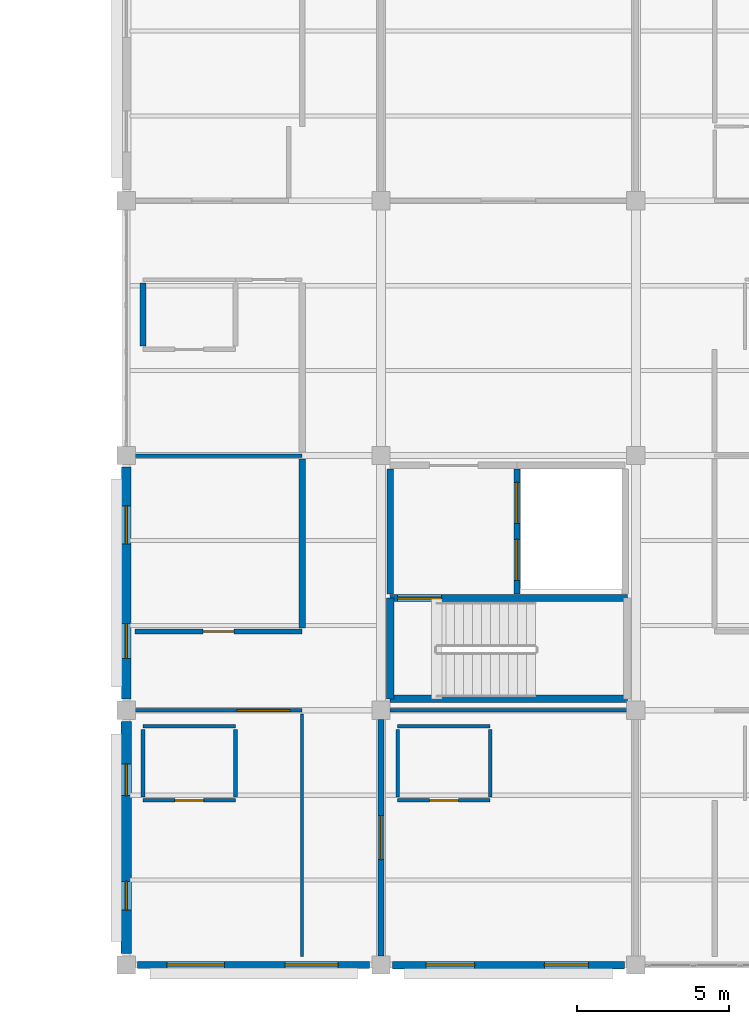
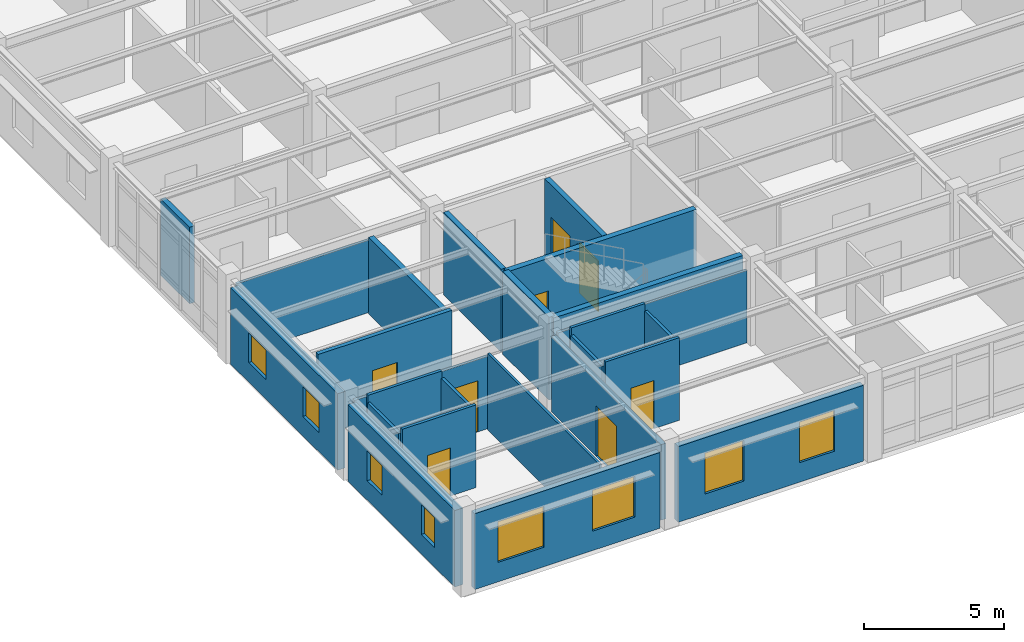
# One storey, part 43 of 70: 25 walls, 8 doors, 8 windows, 16 openings.
"""IFC4 building model written with IfcOpenShell, lengths in metres."""

from ifc_helpers import new_model, si_unit, direction, frame, frame_2d, origin, place, context, subcontext, project, spatial, rectangle, extrude, material, layer, layer_set, type_object, element, fill, save


model = new_model("IFC4")

# Units and contexts
model_context = context("Model", 3, precision=1e-05, world=origin(), true_north=direction((0.0, 1.0)))
body_context = subcontext(model_context, "Body", "Model", "MODEL_VIEW")
ifc_project = project(units=[si_unit("LENGTHUNIT", "METRE"), si_unit("AREAUNIT", "SQUARE_METRE"), si_unit("VOLUMEUNIT", "CUBIC_METRE"), si_unit("PLANEANGLEUNIT", "RADIAN"), si_unit("MASSUNIT", "GRAM", prefix="KILO")], contexts=[model_context])

# Site, building, storey
site_placement = place(None, origin())
site = spatial("IfcSite", under=ifc_project, at=site_placement, CompositionType="ELEMENT")
building_placement = place(site_placement, origin())
building = spatial("IfcBuilding", under=site, at=building_placement, Name="Bramfleet General Hospital", CompositionType="ELEMENT")
storey_placement = place(building_placement, frame((0.0, 0.0, 22.5)))
storey = spatial("IfcBuildingStorey", under=building, at=storey_placement, Name="L05", CompositionType="ELEMENT", Elevation=22.5)

# Wall, openings, windows
ifc_material_1 = material(Name="Precast concrete C40/50", Category="concrete")
ifc_layer_1 = layer(ifc_material_1, 0.3349609375, Name="WT-EW-03")
ifc_layer_set_1 = layer_set([ifc_layer_1], Name="Precast concrete C40/50")
wall_type_1 = type_object("IfcWallType", Name="WT-EW-03", PredefinedType="SOLIDWALL", material=ifc_layer_set_1)
wall_1_placement = place(storey_placement, frame((92.39990234375, 0.375, 0.0), z_axis=(0.0, 0.0, 1.0), x_axis=(0.0, 1.0, 0.0)))
wall_1 = element("IfcWall", 1, at=wall_1_placement, inside=storey, type_object=wall_type_1, Name="L05 Exterior Wall 379", PredefinedType="SOLIDWALL", context=body_context, shape_type="SweptSolid", body=[
    extrude(rectangle(XDim=7.64990234375, YDim=0.3349609375, at=frame_2d((3.824951171875, 0.0))), origin(), (0.0, 0.0, 1.0), 3.340087890625),
])
opening_1_placement = place(wall_1_placement, frame((1.4375, 0.0, 0.85009765625)))
opening_1 = element("IfcOpeningElement", 2, at=opening_1_placement, cuts=wall_1, Name="Opening W-01", PredefinedType="OPENING", context=body_context, shape_type="SweptSolid", body=[
    extrude(rectangle(XDim=0.949951171875, YDim=1.300048828125, at=frame_2d((0.47509765625, 0.64990234375))), frame((0.0, 0.177490234375, 0.0), z_axis=(0.0, -1.0, 0.0), x_axis=(1.0, 0.0, 0.0)), (0.0, 0.0, 1.0), 0.35498046875),
])
opening_2_placement = place(wall_1_placement, frame((5.21240234375, 0.0, 0.85009765625)))
opening_2 = element("IfcOpeningElement", 3, at=opening_2_placement, cuts=wall_1, Name="Opening W-02", PredefinedType="OPENING", context=body_context, shape_type="SweptSolid", body=[
    extrude(rectangle(XDim=1.050048828125, YDim=1.300048828125, at=frame_2d((0.52490234375, 0.64990234375))), frame((0.0, 0.177490234375, 0.0), z_axis=(0.0, -1.0, 0.0), x_axis=(1.0, 0.0, 0.0)), (0.0, 0.0, 1.0), 0.35498046875),
])
ifc_material_2 = material(Name="Anodised aluminium and low-E triple glazing", Category="aluminium")
window_type_1 = type_object("IfcWindowType", Name="WIN-W-01", PartitioningType="SINGLE_PANEL", PredefinedType="WINDOW", material=ifc_material_2)
window_1_placement = place(opening_1_placement, origin())
window_1 = element("IfcWindow", 4, at=window_1_placement, inside=storey, type_object=window_type_1, Name="L05 Facade Window WIN-L05-379-1", OverallHeight=1.300048828125, OverallWidth=0.949951171875, PartitioningType="SINGLE_PANEL", PredefinedType="WINDOW", context=body_context, shape_type="SweptSolid", body=[
    extrude(rectangle(XDim=0.949951171875, YDim=1.300048828125, at=frame_2d((0.47509765625, 0.64990234375))), frame((0.0, 0.030029296875, 0.0), z_axis=(0.0, -1.0, 0.0), x_axis=(1.0, 0.0, 0.0)), (0.0, 0.0, 1.0), 0.06005859375),
])
fill(opening_1, window_1)
window_type_2 = type_object("IfcWindowType", Name="WIN-W-02", PartitioningType="SINGLE_PANEL", PredefinedType="WINDOW", material=ifc_material_2)
window_2_placement = place(opening_2_placement, origin())
window_2 = element("IfcWindow", 5, at=window_2_placement, inside=storey, type_object=window_type_2, Name="L05 Facade Window WIN-L05-379-2", OverallHeight=1.300048828125, OverallWidth=1.050048828125, PartitioningType="SINGLE_PANEL", PredefinedType="WINDOW", context=body_context, shape_type="SweptSolid", body=[
    extrude(rectangle(XDim=1.050048828125, YDim=1.300048828125, at=frame_2d((0.52490234375, 0.64990234375))), frame((0.0, 0.030029296875, 0.0), z_axis=(0.0, -1.0, 0.0), x_axis=(1.0, 0.0, 0.0)), (0.0, 0.0, 1.0), 0.06005859375),
])
fill(opening_2, window_2)

ifc_layer_2 = layer(ifc_material_1, 0.31494140625, Name="WT-EW-04")
ifc_layer_set_2 = layer_set([ifc_layer_2], Name="Precast concrete C40/50")
wall_type_2 = type_object("IfcWallType", Name="WT-EW-04", PredefinedType="SOLIDWALL", material=ifc_layer_set_2)
wall_2_placement = place(storey_placement, frame((92.39990234375, 8.77490234375, 0.0), z_axis=(0.0, 0.0, 1.0), x_axis=(0.0, 1.0, 0.0)))
wall_2 = element("IfcWall", 6, at=wall_2_placement, inside=storey, type_object=wall_type_2, Name="L05 Exterior Wall 380", PredefinedType="SOLIDWALL", context=body_context, shape_type="SweptSolid", body=[
    extrude(rectangle(XDim=7.650146484375, YDim=0.31494140625, at=frame_2d((3.8251953125, 0.0))), origin(), (0.0, 0.0, 1.0), 3.340087890625),
])
opening_3_placement = place(wall_2_placement, frame((1.33740234375, 0.0, 0.85009765625)))
opening_3 = element("IfcOpeningElement", 7, at=opening_3_placement, cuts=wall_2, Name="Opening W-03", PredefinedType="OPENING", context=body_context, shape_type="SweptSolid", body=[
    extrude(rectangle(XDim=1.14990234375, YDim=1.300048828125, at=frame_2d((0.574951171875, 0.64990234375))), frame((0.0, 0.16748046875, 0.0), z_axis=(0.0, -1.0, 0.0), x_axis=(1.0, 0.0, 0.0)), (0.0, 0.0, 1.0), 0.3349609375),
])
opening_4_placement = place(wall_2_placement, frame((5.112548828125, 0.0, 0.85009765625)))
opening_4 = element("IfcOpeningElement", 8, at=opening_4_placement, cuts=wall_2, Name="Opening W-04", PredefinedType="OPENING", context=body_context, shape_type="SweptSolid", body=[
    extrude(rectangle(XDim=1.25, YDim=1.300048828125, at=frame_2d((0.625, 0.64990234375))), frame((0.0, 0.16748046875, 0.0), z_axis=(0.0, -1.0, 0.0), x_axis=(1.0, 0.0, 0.0)), (0.0, 0.0, 1.0), 0.3349609375),
])
window_type_3 = type_object("IfcWindowType", Name="WIN-W-03", PartitioningType="SINGLE_PANEL", PredefinedType="WINDOW", material=ifc_material_2)
window_3_placement = place(opening_3_placement, origin())
window_3 = element("IfcWindow", 9, at=window_3_placement, inside=storey, type_object=window_type_3, Name="L05 Facade Window WIN-L05-380-1", OverallHeight=1.300048828125, OverallWidth=1.14990234375, PartitioningType="SINGLE_PANEL", PredefinedType="WINDOW", context=body_context, shape_type="SweptSolid", body=[
    extrude(rectangle(XDim=1.14990234375, YDim=1.300048828125, at=frame_2d((0.574951171875, 0.64990234375))), frame((0.0, 0.030029296875, 0.0), z_axis=(0.0, -1.0, 0.0), x_axis=(1.0, 0.0, 0.0)), (0.0, 0.0, 1.0), 0.06005859375),
])
fill(opening_3, window_3)
window_type_4 = type_object("IfcWindowType", Name="WIN-W-04", PartitioningType="SINGLE_PANEL", PredefinedType="WINDOW", material=ifc_material_2)
window_4_placement = place(opening_4_placement, origin())
window_4 = element("IfcWindow", 10, at=window_4_placement, inside=storey, type_object=window_type_4, Name="L05 Facade Window WIN-L05-380-2", OverallHeight=1.300048828125, OverallWidth=1.25, PartitioningType="SINGLE_PANEL", PredefinedType="WINDOW", context=body_context, shape_type="SweptSolid", body=[
    extrude(rectangle(XDim=1.25, YDim=1.300048828125, at=frame_2d((0.625, 0.64990234375))), frame((0.0, 0.030029296875, 0.0), z_axis=(0.0, -1.0, 0.0), x_axis=(1.0, 0.0, 0.0)), (0.0, 0.0, 1.0), 0.06005859375),
])
fill(opening_4, window_4)

ifc_layer_3 = layer(ifc_material_1, 0.25, Name="WT-EW-08")
ifc_layer_set_3 = layer_set([ifc_layer_3], Name="Precast concrete C40/50")
wall_type_3 = type_object("IfcWallType", Name="WT-EW-08", PredefinedType="SOLIDWALL", material=ifc_layer_set_3)
wall_3_placement = place(storey_placement, frame((108.824951171875, 0.0, 0.0), z_axis=(0.0, 0.0, 1.0), x_axis=(-1.0, 0.0, 0.0)))
wall_3 = element("IfcWall", 11, at=wall_3_placement, inside=storey, type_object=wall_type_3, Name="L05 Exterior Wall 377", PredefinedType="SOLIDWALL", context=body_context, shape_type="SweptSolid", body=[
    extrude(rectangle(XDim=7.64990234375, YDim=0.25, at=frame_2d((3.824951171875, 0.0))), origin(), (0.0, 0.0, 1.0), 3.31005859375),
])
opening_5_placement = place(wall_3_placement, frame((1.1875, 0.0, 0.85009765625)))
opening_5 = element("IfcOpeningElement", 12, at=opening_5_placement, cuts=wall_3, Name="Opening W-43", PredefinedType="OPENING", context=body_context, shape_type="SweptSolid", body=[
    extrude(rectangle(XDim=1.449951171875, YDim=1.780029296875, at=frame_2d((0.72509765625, 0.89013671875))), frame((0.0, 0.135009765625, 0.0), z_axis=(0.0, -1.0, 0.0), x_axis=(1.0, 0.0, 0.0)), (0.0, 0.0, 1.0), 0.27001953125),
])
opening_6_placement = place(wall_3_placement, frame((4.9375, 0.0, 0.85009765625)))
opening_6 = element("IfcOpeningElement", 13, at=opening_6_placement, cuts=wall_3, Name="Opening W-44", PredefinedType="OPENING", context=body_context, shape_type="SweptSolid", body=[
    extrude(rectangle(XDim=1.60009765625, YDim=1.780029296875, at=frame_2d((0.800048828125, 0.89013671875))), frame((0.0, 0.135009765625, 0.0), z_axis=(0.0, -1.0, 0.0), x_axis=(1.0, 0.0, 0.0)), (0.0, 0.0, 1.0), 0.27001953125),
])
window_type_5 = type_object("IfcWindowType", Name="WIN-W-43", PartitioningType="SINGLE_PANEL", PredefinedType="WINDOW", material=ifc_material_2)
window_5_placement = place(opening_5_placement, origin())
window_5 = element("IfcWindow", 14, at=window_5_placement, inside=storey, type_object=window_type_5, Name="L05 Facade Window WIN-L05-377-1", OverallHeight=1.780029296875, OverallWidth=1.449951171875, PartitioningType="SINGLE_PANEL", PredefinedType="WINDOW", context=body_context, shape_type="SweptSolid", body=[
    extrude(rectangle(XDim=1.449951171875, YDim=1.780029296875, at=frame_2d((0.72509765625, 0.89013671875))), frame((0.0, 0.030029296875, 0.0), z_axis=(0.0, -1.0, 0.0), x_axis=(1.0, 0.0, 0.0)), (0.0, 0.0, 1.0), 0.06005859375),
])
fill(opening_5, window_5)
window_type_6 = type_object("IfcWindowType", Name="WIN-W-44", PartitioningType="SINGLE_PANEL", PredefinedType="WINDOW", material=ifc_material_2)
window_6_placement = place(opening_6_placement, origin())
window_6 = element("IfcWindow", 15, at=window_6_placement, inside=storey, type_object=window_type_6, Name="L05 Facade Window WIN-L05-377-2", OverallHeight=1.780029296875, OverallWidth=1.60009765625, PartitioningType="SINGLE_PANEL", PredefinedType="WINDOW", context=body_context, shape_type="SweptSolid", body=[
    extrude(rectangle(XDim=1.60009765625, YDim=1.780029296875, at=frame_2d((0.800048828125, 0.89013671875))), frame((0.0, 0.030029296875, 0.0), z_axis=(0.0, -1.0, 0.0), x_axis=(1.0, 0.0, 0.0)), (0.0, 0.0, 1.0), 0.06005859375),
])
fill(opening_6, window_6)

ifc_layer_4 = layer(ifc_material_1, 0.235107421875, Name="WT-EW-09")
ifc_layer_set_4 = layer_set([ifc_layer_4], Name="Precast concrete C40/50")
wall_type_4 = type_object("IfcWallType", Name="WT-EW-09", PredefinedType="SOLIDWALL", material=ifc_layer_set_4)
wall_4_placement = place(storey_placement, frame((100.425048828125, 0.0, 0.0), z_axis=(0.0, 0.0, 1.0), x_axis=(-1.0, 0.0, 0.0)))
wall_4 = element("IfcWall", 16, at=wall_4_placement, inside=storey, type_object=wall_type_4, Name="L05 Exterior Wall 378", PredefinedType="SOLIDWALL", context=body_context, shape_type="SweptSolid", body=[
    extrude(rectangle(XDim=7.650146484375, YDim=0.235107421875, at=frame_2d((3.8251953125, 0.0))), origin(), (0.0, 0.0, 1.0), 3.31005859375),
])
opening_7_placement = place(wall_4_placement, frame((1.03759765625, 0.0, 0.85009765625)))
opening_7 = element("IfcOpeningElement", 17, at=opening_7_placement, cuts=wall_4, Name="Opening W-45", PredefinedType="OPENING", context=body_context, shape_type="SweptSolid", body=[
    extrude(rectangle(XDim=1.75, YDim=1.780029296875, at=frame_2d((0.875, 0.89013671875))), frame((0.0, 0.12744140625, 0.0), z_axis=(0.0, -1.0, 0.0), x_axis=(1.0, 0.0, 0.0)), (0.0, 0.0, 1.0), 0.255126953125),
])
opening_8_placement = place(wall_4_placement, frame((4.78759765625, 0.0, 0.85009765625)))
opening_8 = element("IfcOpeningElement", 18, at=opening_8_placement, cuts=wall_4, Name="Opening W-46", PredefinedType="OPENING", context=body_context, shape_type="SweptSolid", body=[
    extrude(rectangle(XDim=1.89990234375, YDim=1.780029296875, at=frame_2d((0.949951171875, 0.89013671875))), frame((0.0, 0.12744140625, 0.0), z_axis=(0.0, -1.0, 0.0), x_axis=(1.0, 0.0, 0.0)), (0.0, 0.0, 1.0), 0.255126953125),
])
window_type_7 = type_object("IfcWindowType", Name="WIN-W-45", PartitioningType="SINGLE_PANEL", PredefinedType="WINDOW", material=ifc_material_2)
window_7_placement = place(opening_7_placement, origin())
window_7 = element("IfcWindow", 19, at=window_7_placement, inside=storey, type_object=window_type_7, Name="L05 Facade Window WIN-L05-378-1", OverallHeight=1.780029296875, OverallWidth=1.75, PartitioningType="SINGLE_PANEL", PredefinedType="WINDOW", context=body_context, shape_type="SweptSolid", body=[
    extrude(rectangle(XDim=1.75, YDim=1.780029296875, at=frame_2d((0.875, 0.89013671875))), frame((0.0, 0.030029296875, 0.0), z_axis=(0.0, -1.0, 0.0), x_axis=(1.0, 0.0, 0.0)), (0.0, 0.0, 1.0), 0.06005859375),
])
fill(opening_7, window_7)
window_type_8 = type_object("IfcWindowType", Name="WIN-W-46", PartitioningType="SINGLE_PANEL", PredefinedType="WINDOW", material=ifc_material_2)
window_8_placement = place(opening_8_placement, origin())
window_8 = element("IfcWindow", 20, at=window_8_placement, inside=storey, type_object=window_type_8, Name="L05 Facade Window WIN-L05-378-2", OverallHeight=1.780029296875, OverallWidth=1.89990234375, PartitioningType="SINGLE_PANEL", PredefinedType="WINDOW", context=body_context, shape_type="SweptSolid", body=[
    extrude(rectangle(XDim=1.89990234375, YDim=1.780029296875, at=frame_2d((0.949951171875, 0.89013671875))), frame((0.0, 0.030029296875, 0.0), z_axis=(0.0, -1.0, 0.0), x_axis=(1.0, 0.0, 0.0)), (0.0, 0.0, 1.0), 0.06005859375),
])
fill(opening_8, window_8)

# Wall
ifc_material_3 = material(Name="Concrete C35/45", Category="concrete")
ifc_layer_5 = layer(ifc_material_3, 0.219970703125, Name="WT-IW-01")
ifc_layer_set_5 = layer_set([ifc_layer_5], Name="Concrete C35/45")
wall_type_5 = type_object("IfcWallType", Name="WT-IW-01", PredefinedType="PARTITIONING", material=ifc_layer_set_5)
wall_5_placement = place(storey_placement, frame((98.199951171875, 11.114990234375, 0.0), z_axis=(0.0, 0.0, 1.0), x_axis=(0.0, 1.0, 0.0)))
element("IfcWall", 21, at=wall_5_placement, inside=storey, type_object=wall_type_5, Name="L05 Interior Partition IW-L05-3709", PredefinedType="PARTITIONING", context=body_context, shape_type="SweptSolid", body=[
    extrude(rectangle(XDim=5.570068359375, YDim=0.219970703125, at=frame_2d((2.78515625, 0.0))), origin(), (0.0, 0.0, 1.0), 3.340087890625),
])

# Wall, openings, doors
ifc_layer_6 = layer(ifc_material_3, 0.205078125, Name="WT-IW-02")
ifc_layer_set_6 = layer_set([ifc_layer_6], Name="Concrete C35/45")
wall_type_6 = type_object("IfcWallType", Name="WT-IW-02", PredefinedType="PARTITIONING", material=ifc_layer_set_6)
wall_6_placement = place(storey_placement, frame((105.280029296875, 12.239990234375, 0.0), z_axis=(0.0, 0.0, 1.0), x_axis=(0.0, 1.0, 0.0)))
wall_6 = element("IfcWall", 22, at=wall_6_placement, inside=storey, type_object=wall_type_6, Name="L05 C3 Lobby East Shaft Wall", PredefinedType="PARTITIONING", context=body_context, shape_type="SweptSolid", body=[
    extrude(rectangle(XDim=4.1201171875, YDim=0.205078125, at=frame_2d((2.06005859375, 0.0))), origin(), (0.0, 0.0, 1.0), 3.610107421875),
])
opening_9_placement = place(wall_6_placement, frame((0.445068359375, 0.0, 0.0)))
opening_9 = element("IfcOpeningElement", 23, at=opening_9_placement, cuts=wall_6, Name="Opening LD-FL-01-L05", PredefinedType="OPENING", context=body_context, shape_type="SweptSolid", body=[
    extrude(rectangle(XDim=1.35009765625, YDim=2.199951171875, at=frame_2d((0.675048828125, 1.10009765625))), frame((0.0, 0.112548828125, 0.0), z_axis=(0.0, -1.0, 0.0), x_axis=(1.0, 0.0, 0.0)), (0.0, 0.0, 1.0), 0.22509765625),
])
opening_10_placement = place(wall_6_placement, frame((2.324951171875, 0.0, 0.0)))
opening_10 = element("IfcOpeningElement", 24, at=opening_10_placement, cuts=wall_6, Name="Opening LD-BL-03-L05", PredefinedType="OPENING", context=body_context, shape_type="SweptSolid", body=[
    extrude(rectangle(XDim=1.35009765625, YDim=2.199951171875, at=frame_2d((0.675048828125, 1.10009765625))), frame((0.0, 0.112548828125, 0.0), z_axis=(0.0, -1.0, 0.0), x_axis=(1.0, 0.0, 0.0)), (0.0, 0.0, 1.0), 0.22509765625),
])
ifc_material_4 = material(Name="Brushed stainless steel 1.4301", Category="steel")
door_type_1 = type_object("IfcDoorType", Name="DR-LD-01", OperationType="NOTDEFINED", PredefinedType="DOOR", material=ifc_material_4)
door_1_placement = place(opening_9_placement, origin())
door_1 = element("IfcDoor", 25, at=door_1_placement, inside=storey, type_object=door_type_1, Name="L05 Lift FL-01 Sliding Landing Door", OperationType="SLIDING_TO_LEFT", OverallHeight=2.199951171875, OverallWidth=1.35009765625, PredefinedType="DOOR", context=body_context, shape_type="SweptSolid", body=[
    extrude(rectangle(XDim=1.35009765625, YDim=2.199951171875, at=frame_2d((0.675048828125, 1.10009765625))), frame((0.0, 0.02490234375, 0.0), z_axis=(0.0, -1.0, 0.0), x_axis=(1.0, 0.0, 0.0)), (0.0, 0.0, 1.0), 0.050048828125),
])
fill(opening_9, door_1)
door_2_placement = place(opening_10_placement, origin())
door_2 = element("IfcDoor", 26, at=door_2_placement, inside=storey, type_object=door_type_1, Name="L05 Lift BL-03 Sliding Landing Door", OperationType="SLIDING_TO_LEFT", OverallHeight=2.199951171875, OverallWidth=1.35009765625, PredefinedType="DOOR", context=body_context, shape_type="SweptSolid", body=[
    extrude(rectangle(XDim=1.35009765625, YDim=2.199951171875, at=frame_2d((0.675048828125, 1.10009765625))), frame((0.0, 0.02490234375, 0.0), z_axis=(0.0, -1.0, 0.0), x_axis=(1.0, 0.0, 0.0)), (0.0, 0.0, 1.0), 0.050048828125),
])
fill(opening_10, door_2)

# Walls
wall_7_placement = place(storey_placement, frame((101.10009765625, 12.239990234375, 0.0), z_axis=(0.0, 0.0, 1.0), x_axis=(0.0, 1.0, 0.0)))
element("IfcWall", 27, at=wall_7_placement, inside=storey, type_object=wall_type_6, Name="L05 C3 Lobby West Compartment Wall", PredefinedType="PARTITIONING", context=body_context, shape_type="SweptSolid", body=[
    extrude(rectangle(XDim=4.1201171875, YDim=0.205078125, at=frame_2d((2.06005859375, 0.0))), origin(), (0.0, 0.0, 1.0), 3.610107421875),
])
wall_8_placement = place(storey_placement, frame((92.949951171875, 20.4150390625, 0.0), z_axis=(0.0, 0.0, 1.0), x_axis=(0.0, 1.0, 0.0)))
element("IfcWall", 28, at=wall_8_placement, inside=storey, type_object=wall_type_6, Name="L05 Interior Partition IW-L05-3698", PredefinedType="PARTITIONING", context=body_context, shape_type="SweptSolid", body=[
    extrude(rectangle(XDim=2.070068359375, YDim=0.205078125, at=frame_2d((1.03515625, 0.0))), origin(), (0.0, 0.0, 1.0), 3.340087890625),
])

# Wall, opening, door
wall_9_placement = place(storey_placement, frame((100.800048828125, 0.294921875, 0.0), z_axis=(0.0, 0.0, 1.0), x_axis=(0.0, 1.0, 0.0)))
wall_9 = element("IfcWall", 29, at=wall_9_placement, inside=storey, type_object=wall_type_6, Name="L05 Interior Partition IW-L05-3722", PredefinedType="PARTITIONING", context=body_context, shape_type="SweptSolid", body=[
    extrude(rectangle(XDim=7.81005859375, YDim=0.205078125, at=frame_2d((3.905029296875, 0.0))), origin(), (0.0, 0.0, 1.0), 3.300048828125),
])
opening_11_placement = place(wall_9_placement, frame((3.179931640625, 0.0, 0.0)))
opening_11 = element("IfcOpeningElement", 30, at=opening_11_placement, cuts=wall_9, Name="Opening D1379", PredefinedType="OPENING", context=body_context, shape_type="SweptSolid", body=[
    extrude(rectangle(XDim=1.449951171875, YDim=2.199951171875, at=frame_2d((0.72509765625, 1.10009765625))), frame((0.0, 0.112548828125, 0.0), z_axis=(0.0, -1.0, 0.0), x_axis=(1.0, 0.0, 0.0)), (0.0, 0.0, 1.0), 0.22509765625),
])
ifc_material_5 = material(Name="Stainless steel and acoustic timber leaf", Category="steel")
door_type_2 = type_object("IfcDoorType", Name="DR-D-03", OperationType="NOTDEFINED", PredefinedType="DOOR", material=ifc_material_5)
door_3_placement = place(opening_11_placement, origin())
door_3 = element("IfcDoor", 31, at=door_3_placement, inside=storey, type_object=door_type_2, Name="Medical and Cardiology Ward Bedroom L05-1200 Door D1379", OperationType="SINGLE_SWING_RIGHT", OverallHeight=2.199951171875, OverallWidth=1.449951171875, PredefinedType="DOOR", context=body_context, shape_type="SweptSolid", body=[
    extrude(rectangle(XDim=1.449951171875, YDim=2.199951171875, at=frame_2d((0.72509765625, 1.10009765625))), frame((0.0, 0.02490234375, 0.0), z_axis=(0.0, -1.0, 0.0), x_axis=(1.0, 0.0, 0.0)), (0.0, 0.0, 1.0), 0.050048828125),
])
fill(opening_11, door_3)

ifc_material_6 = material(Name="Gypsum plasterboard on acoustic steel studs", Category="steel")
ifc_layer_7 = layer(ifc_material_6, 0.169921875, Name="WT-IW-05")
ifc_layer_set_7 = layer_set([ifc_layer_7], Name="Gypsum plasterboard on acoustic steel studs")
wall_type_7 = type_object("IfcWallType", Name="WT-IW-05", PredefinedType="PARTITIONING", material=ifc_layer_set_7)
wall_10_placement = place(storey_placement, frame((92.679931640625, 11.0, 0.0), z_axis=(0.0, 0.0, 1.0), x_axis=(1.0, 0.0, 0.0)))
wall_10 = element("IfcWall", 32, at=wall_10_placement, inside=storey, type_object=wall_type_7, Name="L05 Interior Partition IW-L05-3509", PredefinedType="PARTITIONING", context=body_context, shape_type="SweptSolid", body=[
    extrude(rectangle(XDim=5.52001953125, YDim=0.169921875, at=frame_2d((2.760009765625, 0.0))), origin(), (0.0, 0.0, 1.0), 3.610107421875),
])
opening_12_placement = place(wall_10_placement, frame((2.25, 0.0, 0.0)))
opening_12 = element("IfcOpeningElement", 33, at=opening_12_placement, cuts=wall_10, Name="Opening D1365", PredefinedType="OPENING", context=body_context, shape_type="SweptSolid", body=[
    extrude(rectangle(XDim=1.02001953125, YDim=2.1201171875, at=frame_2d((0.510009765625, 1.06005859375))), frame((0.0, 0.094970703125, 0.0), z_axis=(0.0, -1.0, 0.0), x_axis=(1.0, 0.0, 0.0)), (0.0, 0.0, 1.0), 0.18994140625),
])
door_type_3 = type_object("IfcDoorType", Name="DR-D-21", OperationType="NOTDEFINED", PredefinedType="DOOR", material=ifc_material_5)
door_4_placement = place(opening_12_placement, origin())
door_4 = element("IfcDoor", 34, at=door_4_placement, inside=storey, type_object=door_type_3, Name="Medical and Cardiology Ward Nurse Station L05-1101 Door D1365", OperationType="SINGLE_SWING_RIGHT", OverallHeight=2.1201171875, OverallWidth=1.02001953125, PredefinedType="DOOR", context=body_context, shape_type="SweptSolid", body=[
    extrude(rectangle(XDim=1.02001953125, YDim=2.1201171875, at=frame_2d((0.510009765625, 1.06005859375))), frame((0.0, 0.02490234375, 0.0), z_axis=(0.0, -1.0, 0.0), x_axis=(1.0, 0.0, 0.0)), (0.0, 0.0, 1.0), 0.050048828125),
])
fill(opening_12, door_4)

ifc_layer_8 = layer(ifc_material_6, 0.1201171875, Name="WT-IW-10")
ifc_layer_set_8 = layer_set([ifc_layer_8], Name="Gypsum plasterboard on acoustic steel studs")
wall_type_8 = type_object("IfcWallType", Name="WT-IW-10", PredefinedType="PARTITIONING", material=ifc_layer_set_8)
wall_11_placement = place(storey_placement, frame((92.949951171875, 5.429931640625, 0.0), z_axis=(0.0, 0.0, 1.0), x_axis=(1.0, 0.0, 0.0)))
wall_11 = element("IfcWall", 35, at=wall_11_placement, inside=storey, type_object=wall_type_8, Name="L05 Interior Partition IW-L05-3494", PredefinedType="PARTITIONING", context=body_context, shape_type="SweptSolid", body=[
    extrude(rectangle(XDim=3.050048828125, YDim=0.1201171875, at=frame_2d((1.52490234375, 0.0))), origin(), (0.0, 0.0, 1.0), 3.610107421875),
])
opening_13_placement = place(wall_11_placement, frame((1.050048828125, 0.0, 0.0)))
opening_13 = element("IfcOpeningElement", 36, at=opening_13_placement, cuts=wall_11, Name="Opening D1364", PredefinedType="OPENING", context=body_context, shape_type="SweptSolid", body=[
    extrude(rectangle(XDim=0.949951171875, YDim=2.10009765625, at=frame_2d((0.47509765625, 1.050048828125))), frame((0.0, 0.070068359375, 0.0), z_axis=(0.0, -1.0, 0.0), x_axis=(1.0, 0.0, 0.0)), (0.0, 0.0, 1.0), 0.14013671875),
])
door_type_4 = type_object("IfcDoorType", Name="DR-D-10", OperationType="NOTDEFINED", PredefinedType="DOOR", material=ifc_material_5)
door_5_placement = place(opening_13_placement, origin())
door_5 = element("IfcDoor", 37, at=door_5_placement, inside=storey, type_object=door_type_4, Name="En-Suite Bathroom L05-1100 Door D1364", OperationType="SINGLE_SWING_LEFT", OverallHeight=2.10009765625, OverallWidth=0.949951171875, PredefinedType="DOOR", context=body_context, shape_type="SweptSolid", body=[
    extrude(rectangle(XDim=0.949951171875, YDim=2.10009765625, at=frame_2d((0.47509765625, 1.050048828125))), frame((0.0, 0.02490234375, 0.0), z_axis=(0.0, -1.0, 0.0), x_axis=(1.0, 0.0, 0.0)), (0.0, 0.0, 1.0), 0.050048828125),
])
fill(opening_13, door_5)

wall_12_placement = place(storey_placement, frame((101.35009765625, 5.429931640625, 0.0), z_axis=(0.0, 0.0, 1.0), x_axis=(1.0, 0.0, 0.0)))
wall_12 = element("IfcWall", 38, at=wall_12_placement, inside=storey, type_object=wall_type_8, Name="L05 Interior Partition IW-L05-3495", PredefinedType="PARTITIONING", context=body_context, shape_type="SweptSolid", body=[
    extrude(rectangle(XDim=3.0498046875, YDim=0.1201171875, at=frame_2d((1.52490234375, 0.0))), origin(), (0.0, 0.0, 1.0), 3.610107421875),
])
opening_14_placement = place(wall_12_placement, frame((1.050048828125, 0.0, 0.0)))
opening_14 = element("IfcOpeningElement", 39, at=opening_14_placement, cuts=wall_12, Name="Opening D1380", PredefinedType="OPENING", context=body_context, shape_type="SweptSolid", body=[
    extrude(rectangle(XDim=0.949951171875, YDim=2.10009765625, at=frame_2d((0.47509765625, 1.050048828125))), frame((0.0, 0.070068359375, 0.0), z_axis=(0.0, -1.0, 0.0), x_axis=(1.0, 0.0, 0.0)), (0.0, 0.0, 1.0), 0.14013671875),
])
door_6_placement = place(opening_14_placement, origin())
door_6 = element("IfcDoor", 40, at=door_6_placement, inside=storey, type_object=door_type_4, Name="En-Suite Bathroom L05-1200 Door D1380", OperationType="SINGLE_SWING_LEFT", OverallHeight=2.10009765625, OverallWidth=0.949951171875, PredefinedType="DOOR", context=body_context, shape_type="SweptSolid", body=[
    extrude(rectangle(XDim=0.949951171875, YDim=2.10009765625, at=frame_2d((0.47509765625, 1.050048828125))), frame((0.0, 0.02490234375, 0.0), z_axis=(0.0, -1.0, 0.0), x_axis=(1.0, 0.0, 0.0)), (0.0, 0.0, 1.0), 0.050048828125),
])
fill(opening_14, door_6)

# Walls
wall_13_placement = place(storey_placement, frame((92.949951171875, 7.8798828125, 0.0), z_axis=(0.0, 0.0, 1.0), x_axis=(1.0, 0.0, 0.0)))
element("IfcWall", 41, at=wall_13_placement, inside=storey, type_object=wall_type_8, Name="L05 Interior Partition IW-L05-3498", PredefinedType="PARTITIONING", context=body_context, shape_type="SweptSolid", body=[
    extrude(rectangle(XDim=3.050048828125, YDim=0.1201171875, at=frame_2d((1.52490234375, 0.0))), origin(), (0.0, 0.0, 1.0), 3.610107421875),
])
wall_14_placement = place(storey_placement, frame((101.35009765625, 7.8798828125, 0.0), z_axis=(0.0, 0.0, 1.0), x_axis=(1.0, 0.0, 0.0)))
element("IfcWall", 42, at=wall_14_placement, inside=storey, type_object=wall_type_8, Name="L05 Interior Partition IW-L05-3499", PredefinedType="PARTITIONING", context=body_context, shape_type="SweptSolid", body=[
    extrude(rectangle(XDim=3.0498046875, YDim=0.1201171875, at=frame_2d((1.52490234375, 0.0))), origin(), (0.0, 0.0, 1.0), 3.610107421875),
])

# Wall, opening, door
wall_15_placement = place(storey_placement, frame((92.695068359375, 8.39990234375, 0.0), z_axis=(0.0, 0.0, 1.0), x_axis=(1.0, 0.0, 0.0)))
wall_15 = element("IfcWall", 43, at=wall_15_placement, inside=storey, type_object=wall_type_8, Name="L05 Interior Partition IW-L05-3502", PredefinedType="PARTITIONING", context=body_context, shape_type="SweptSolid", body=[
    extrude(rectangle(XDim=5.5048828125, YDim=0.1201171875, at=frame_2d((2.75244140625, 0.0))), origin(), (0.0, 0.0, 1.0), 3.159912109375),
])
opening_15_placement = place(wall_15_placement, frame((3.356689453125, 0.0, 0.0)))
opening_15 = element("IfcOpeningElement", 44, at=opening_15_placement, cuts=wall_15, Name="Opening D1363", PredefinedType="OPENING", context=body_context, shape_type="SweptSolid", body=[
    extrude(rectangle(XDim=1.739990234375, YDim=2.239990234375, at=frame_2d((0.8701171875, 1.1201171875))), frame((0.0, 0.070068359375, 0.0), z_axis=(0.0, -1.0, 0.0), x_axis=(1.0, 0.0, 0.0)), (0.0, 0.0, 1.0), 0.14013671875),
])
door_type_5 = type_object("IfcDoorType", Name="DR-D-19", OperationType="NOTDEFINED", PredefinedType="DOOR", material=ifc_material_5)
door_7_placement = place(opening_15_placement, origin())
door_7 = element("IfcDoor", 45, at=door_7_placement, inside=storey, type_object=door_type_5, Name="Medical and Cardiology Ward Bedroom L05-1100 Door D1363", OperationType="DOUBLE_SWING_RIGHT", OverallHeight=2.239990234375, OverallWidth=1.739990234375, PredefinedType="DOOR", context=body_context, shape_type="SweptSolid", body=[
    extrude(rectangle(XDim=1.739990234375, YDim=2.239990234375, at=frame_2d((0.8701171875, 1.1201171875))), frame((0.0, 0.02490234375, 0.0), z_axis=(0.0, -1.0, 0.0), x_axis=(1.0, 0.0, 0.0)), (0.0, 0.0, 1.0), 0.050048828125),
])
fill(opening_15, door_7)

# Walls
for number, where, z_axis, x_axis, name in (
    (46, (92.949951171875, 5.544921875, 0.0), (0.0, 0.0, 1.0), (0.0, 1.0, 0.0), "L05 Interior Partition IW-L05-3697"),
    (47, (96.0, 5.544921875, 0.0), (0.0, 0.0, 1.0), (0.0, 1.0, 0.0), "L05 Interior Partition IW-L05-3700"),
    (48, (101.35009765625, 5.544921875, 0.0), (0.0, 0.0, 1.0), (0.0, 1.0, 0.0), "L05 Interior Partition IW-L05-3728"),
    (49, (104.39990234375, 5.544921875, 0.0), (0.0, 0.0, 1.0), (0.0, 1.0, 0.0), "L05 Interior Partition IW-L05-3735"),
):
    element("IfcWall", number, at=place(storey_placement, frame(where, z_axis=z_axis, x_axis=x_axis)), inside=storey, type_object=wall_type_8, Name=name, PredefinedType="PARTITIONING", context=body_context, shape_type="SweptSolid", body=[
        extrude(rectangle(XDim=2.219970703125, YDim=0.1201171875, at=frame_2d((1.10986328125, 0.0))), origin(), (0.0, 0.0, 1.0), 3.340087890625),
    ])
ifc_layer_9 = layer(ifc_material_6, 0.112060546875, Name="WT-IW-11")
ifc_layer_set_9 = layer_set([ifc_layer_9], Name="Gypsum plasterboard on acoustic steel studs")
wall_type_9 = type_object("IfcWallType", Name="WT-IW-11", PredefinedType="PARTITIONING", material=ifc_layer_set_9)
wall_16_placement = place(storey_placement, frame((101.094970703125, 8.39990234375, 0.0), z_axis=(0.0, 0.0, 1.0), x_axis=(1.0, 0.0, 0.0)))
element("IfcWall", 50, at=wall_16_placement, inside=storey, type_object=wall_type_9, Name="L05 Interior Partition IW-L05-3503", PredefinedType="PARTITIONING", context=body_context, shape_type="SweptSolid", body=[
    extrude(rectangle(XDim=7.81005859375, YDim=0.112060546875, at=frame_2d((3.905029296875, 0.0))), origin(), (0.0, 0.0, 1.0), 3.159912109375),
])
wall_17_placement = place(storey_placement, frame((92.695068359375, 16.800048828125, 0.0), z_axis=(0.0, 0.0, 1.0), x_axis=(1.0, 0.0, 0.0)))
element("IfcWall", 51, at=wall_17_placement, inside=storey, type_object=wall_type_9, Name="L05 Interior Partition IW-L05-3515", PredefinedType="PARTITIONING", context=body_context, shape_type="SweptSolid", body=[
    extrude(rectangle(XDim=5.5048828125, YDim=0.112060546875, at=frame_2d((2.75244140625, 0.0))), origin(), (0.0, 0.0, 1.0), 3.159912109375),
])
ifc_layer_10 = layer(ifc_material_6, 0.10009765625, Name="WT-IW-12")
ifc_layer_set_10 = layer_set([ifc_layer_10], Name="Gypsum plasterboard on acoustic steel studs")
wall_type_10 = type_object("IfcWallType", Name="WT-IW-12", PredefinedType="PARTITIONING", material=ifc_layer_set_10)
wall_18_placement = place(storey_placement, frame((98.199951171875, 0.280029296875, 0.0), z_axis=(0.0, 0.0, 1.0), x_axis=(0.0, 1.0, 0.0)))
element("IfcWall", 52, at=wall_18_placement, inside=storey, type_object=wall_type_10, Name="L05 Interior Partition IW-L05-3708", PredefinedType="PARTITIONING", context=body_context, shape_type="SweptSolid", body=[
    extrude(rectangle(XDim=8.0048828125, YDim=0.10009765625, at=frame_2d((4.00244140625, 0.0))), origin(), (0.0, 0.0, 1.0), 3.340087890625),
])
ifc_material_7 = material(Name="Concrete C40/50", Category="concrete")
ifc_layer_11 = layer(ifc_material_7, 0.239990234375, Name="WT-SW-240")
ifc_layer_set_11 = layer_set([ifc_layer_11], Name="Concrete C40/50")
wall_type_11 = type_object("IfcWallType", Name="WT-SW-240", PredefinedType="SHEAR", material=ifc_layer_set_11)
wall_19_placement = place(storey_placement, frame((101.10009765625, 8.780029296875, 0.0), z_axis=(0.0, 0.0, 1.0), x_axis=(1.0, 0.0, 0.0)))
element("IfcWall", 53, at=wall_19_placement, inside=storey, type_object=wall_type_11, Name="L05 C3 South Stair Shear Wall", PredefinedType="SHEAR", context=body_context, shape_type="SweptSolid", body=[
    extrude(rectangle(XDim=7.81982421875, YDim=0.239990234375, at=frame_2d((3.909912109375, 0.0))), origin(), (0.0, 0.0, 1.0), 3.6201171875),
])
wall_20_placement = place(storey_placement, frame((101.10009765625, 8.780029296875, 0.0), z_axis=(0.0, 0.0, 1.0), x_axis=(0.0, 1.0, 0.0)))
element("IfcWall", 54, at=wall_20_placement, inside=storey, type_object=wall_type_11, Name="L05 C3 West Stair Shear Wall", PredefinedType="SHEAR", context=body_context, shape_type="SweptSolid", body=[
    extrude(rectangle(XDim=3.320068359375, YDim=0.239990234375, at=frame_2d((1.66015625, 0.0))), origin(), (0.0, 0.0, 1.0), 3.6201171875),
])

# Wall, opening, door
wall_21_placement = place(storey_placement, frame((101.10009765625, 12.10009765625, 0.0), z_axis=(0.0, 0.0, 1.0), x_axis=(1.0, 0.0, 0.0)))
wall_21 = element("IfcWall", 55, at=wall_21_placement, inside=storey, type_object=wall_type_11, Name="L05 C3 Stair-Lobby Shear Wall", PredefinedType="SHEAR", context=body_context, shape_type="SweptSolid", body=[
    extrude(rectangle(XDim=7.81982421875, YDim=0.239990234375, at=frame_2d((3.909912109375, 0.0))), origin(), (0.0, 0.0, 1.0), 3.6201171875),
])
opening_16_placement = place(wall_21_placement, frame((0.25, 0.0, 0.0)))
opening_16 = element("IfcOpeningElement", 56, at=opening_16_placement, cuts=wall_21, Name="Opening D0031", PredefinedType="OPENING", context=body_context, shape_type="SweptSolid", body=[
    extrude(rectangle(XDim=1.449951171875, YDim=2.199951171875, at=frame_2d((0.72509765625, 1.10009765625))), frame((0.0, 0.1298828125, 0.0), z_axis=(0.0, -1.0, 0.0), x_axis=(1.0, 0.0, 0.0)), (0.0, 0.0, 1.0), 0.260009765625),
])
door_8_placement = place(opening_16_placement, origin())
door_8 = element("IfcDoor", 57, at=door_8_placement, inside=storey, type_object=door_type_2, Name="L05 C3 Escape Stair Fire Door D0031", OperationType="SINGLE_SWING_RIGHT", OverallHeight=2.199951171875, OverallWidth=1.449951171875, PredefinedType="DOOR", context=body_context, shape_type="SweptSolid", body=[
    extrude(rectangle(XDim=1.449951171875, YDim=2.199951171875, at=frame_2d((0.72509765625, 1.10009765625))), frame((0.0, 0.02490234375, 0.0), z_axis=(0.0, -1.0, 0.0), x_axis=(1.0, 0.0, 0.0)), (0.0, 0.0, 1.0), 0.050048828125),
])
fill(opening_16, door_8)

save(model, "model.ifc")
